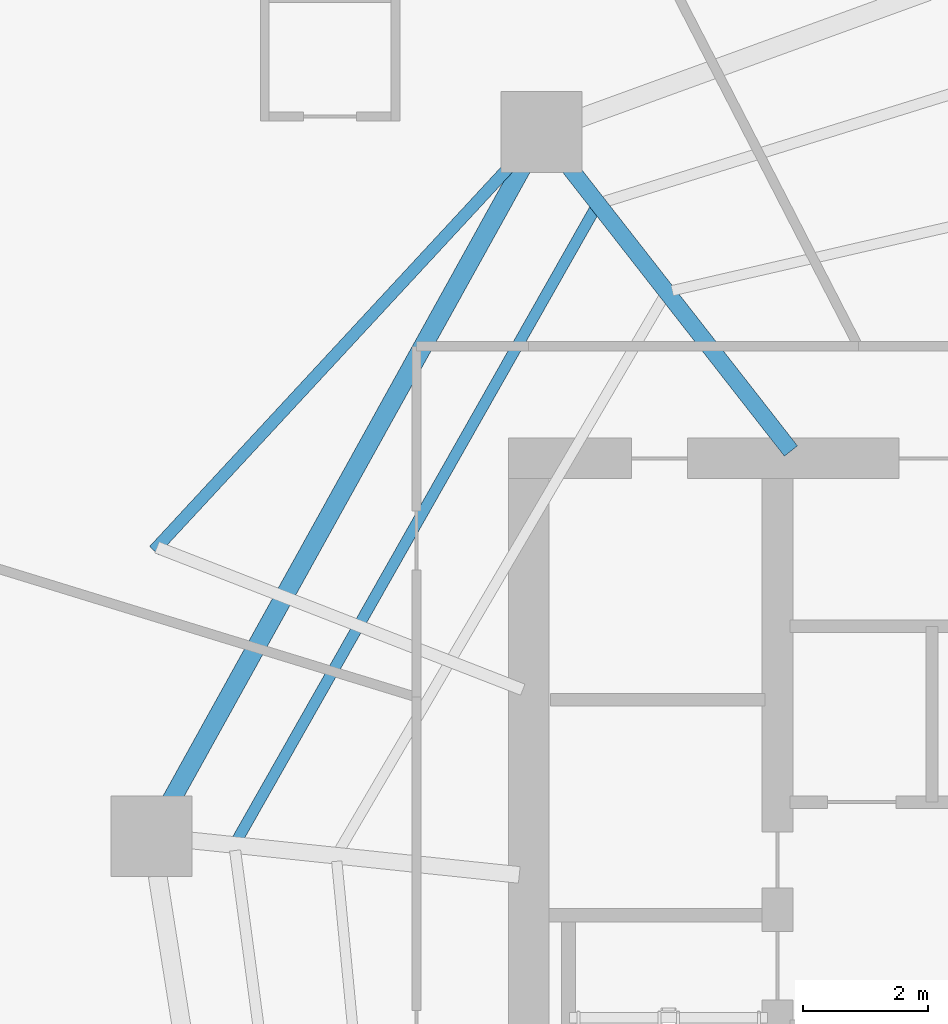
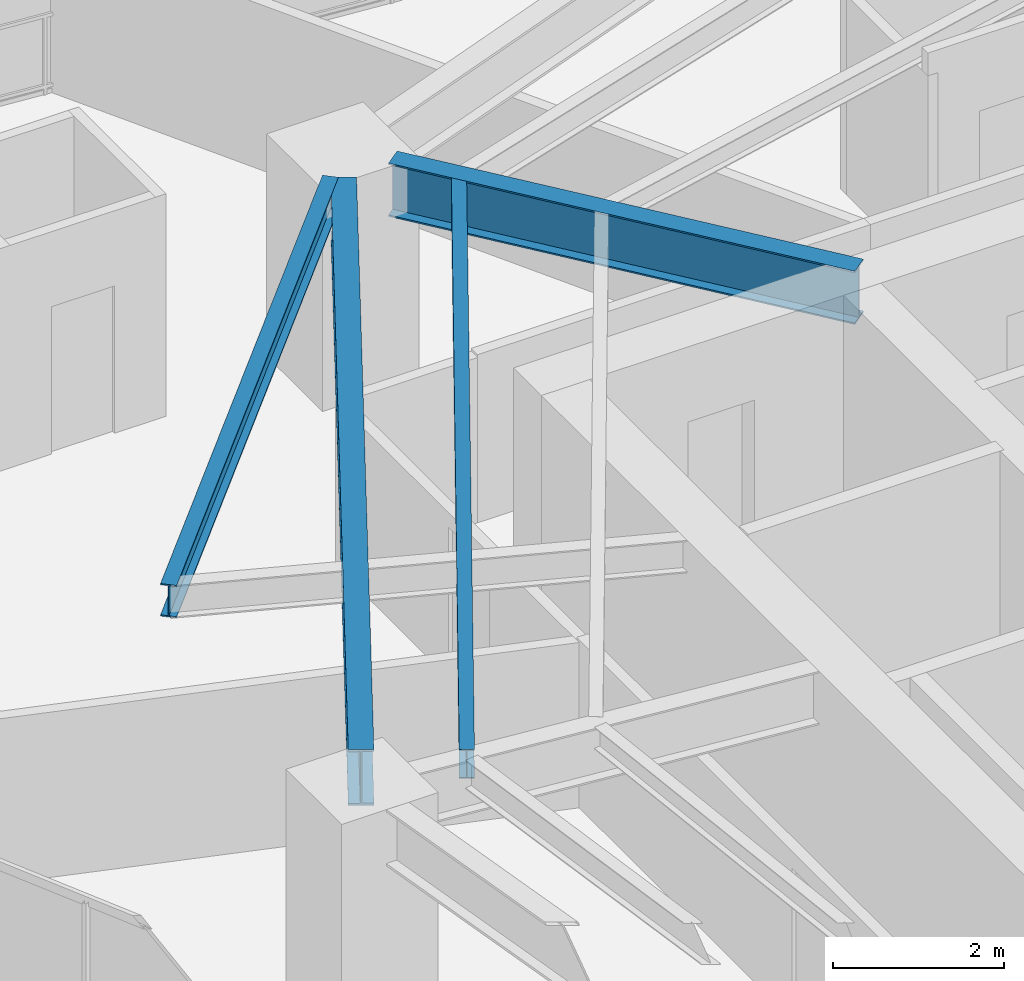
# One storey, part 17 of 30: 4 beams.
"""IFC4 building model written with IfcOpenShell, lengths in metres."""

from ifc_helpers import new_model, si_unit, direction, frame, origin, origin_2d, place, context, subcontext, project, spatial, i_section, extrude, material, material_profile, profile_set, type_object, element, save


model = new_model("IFC4")

# Units and contexts
model_context = context("Model", 3, precision=1e-05, world=origin(), true_north=direction((0.0, 1.0)))
body_context = subcontext(model_context, "Body", "Model", "MODEL_VIEW")
ifc_project = project(units=[si_unit("LENGTHUNIT", "METRE"), si_unit("AREAUNIT", "SQUARE_METRE"), si_unit("VOLUMEUNIT", "CUBIC_METRE"), si_unit("PLANEANGLEUNIT", "RADIAN"), si_unit("MASSUNIT", "GRAM", prefix="KILO")], contexts=[model_context])

# Site, building, storey
site_placement = place(None, origin())
site = spatial("IfcSite", under=ifc_project, at=site_placement, CompositionType="ELEMENT")
building_placement = place(site_placement, origin())
building = spatial("IfcBuilding", under=site, at=building_placement, Name="Qarnah Convention Tower", CompositionType="ELEMENT")
storey_placement = place(building_placement, frame((0.0, 0.0, 47.699951171875)))
storey = spatial("IfcBuildingStorey", under=building, at=storey_placement, Name="L11", CompositionType="ELEMENT", Elevation=47.699951171875)

# Beams
ifc_material = material(Name="Structural steel S355JR", Category="steel")
ifc_material_profile_1 = material_profile(ifc_material, i_section(OverallWidth=0.19189453125, OverallDepth=0.464111328125, WebThickness=0.010986328125, FlangeThickness=0.01806640625, at=origin_2d()), Name="W460X89")
ifc_profile_set_1 = profile_set([ifc_material_profile_1], Name="Structural steel S355JR")
beam_type_1 = type_object("IfcBeamType", Name="BM-CANT-W460A", PredefinedType="BEAM", material=ifc_profile_set_1)
beam_1_placement = place(storey_placement, frame((20.782958984375, 32.719970703125, 2.93798828125), z_axis=(0.679611332191, 0.733572380313, 0.0), x_axis=(-0.733572380313, 0.679611332191, 0.0)))
element("IfcBeam", 1, at=beam_1_placement, inside=storey, type_object=beam_type_1, Name="L11 spandrel BM-L11-CTIE-02", PredefinedType="SPANDREL", context=body_context, shape_type="SweptSolid", body=[
    extrude(i_section(OverallWidth=0.19189453125, OverallDepth=0.464111328125, WebThickness=0.010986328125, FlangeThickness=0.01806640625, at=origin_2d()), origin(), (0.0, 0.0, 1.0), 8.52392578125),
])
ifc_material_profile_2 = material_profile(ifc_material, i_section(OverallWidth=0.177978515625, OverallDepth=0.407958984375, WebThickness=0.008056640625, FlangeThickness=0.012939453125, at=origin_2d()), Name="W410X60")
ifc_profile_set_2 = profile_set([ifc_material_profile_2], Name="Structural steel S355JR")
beam_type_2 = type_object("IfcBeamType", Name="BM-JST-W410", PredefinedType="JOIST", material=ifc_profile_set_2)
beam_2_placement = place(storey_placement, frame((27.867919921875, 38.2109375, 2.966064453125), z_axis=(-0.493168421993, -0.869933852399, 0.0), x_axis=(0.869933852399, -0.493168421993, 0.0)))
element("IfcBeam", 2, at=beam_2_placement, inside=storey, type_object=beam_type_2, Name="L11 joist BM-L11-SJST-04", PredefinedType="JOIST", context=body_context, shape_type="SweptSolid", body=[
    extrude(i_section(OverallWidth=0.177978515625, OverallDepth=0.407958984375, WebThickness=0.008056640625, FlangeThickness=0.012939453125, at=origin_2d()), origin(), (0.0, 0.0, 1.0), 11.659423828125),
])
ifc_material_profile_3 = material_profile(ifc_material, i_section(OverallWidth=0.26806640625, OverallDepth=0.760009765625, WebThickness=0.014892578125, FlangeThickness=0.02197265625, at=origin_2d()), Name="W760X185")
ifc_profile_set_3 = profile_set([ifc_material_profile_3], Name="Structural steel S355JR")
beam_type_3 = type_object("IfcBeamType", Name="BM-RAD-W760", PredefinedType="BEAM", material=ifc_profile_set_3)
beam_3_placement = place(storey_placement, frame((31.013916015625, 34.318115234375, 2.7900390625), z_axis=(-0.61558272574, 0.78807227319, 0.0), x_axis=(-0.78807227319, -0.61558272574, 0.0)))
element("IfcBeam", 3, at=beam_3_placement, inside=storey, type_object=beam_type_3, Name="L11 beam BM-L11-RAD-04", PredefinedType="BEAM", context=body_context, shape_type="SweptSolid", body=[
    extrude(i_section(OverallWidth=0.26806640625, OverallDepth=0.760009765625, WebThickness=0.014892578125, FlangeThickness=0.02197265625, at=origin_2d()), origin(), (0.0, 0.0, 1.0), 5.87255859375),
])
ifc_material_profile_4 = material_profile(ifc_material, i_section(OverallWidth=0.300048828125, OverallDepth=0.800048828125, WebThickness=0.01806640625, FlangeThickness=0.032958984375, at=origin_2d()), Name="HEB800")
ifc_profile_set_4 = profile_set([ifc_material_profile_4], Name="Structural steel S355JR")
beam_type_4 = type_object("IfcBeamType", Name="BM-RING-HEB800", PredefinedType="BEAM", material=ifc_profile_set_4)
beam_4_placement = place(storey_placement, frame((26.700927734375, 38.882080078125, 2.77001953125), z_axis=(-0.484829813426, -0.874608513572, 0.0), x_axis=(0.874608513572, -0.484829813426, 0.0)))
element("IfcBeam", 4, at=beam_4_placement, inside=storey, type_object=beam_type_4, Name="L11 beam BM-L11-SPN-04", PredefinedType="BEAM", context=body_context, shape_type="SweptSolid", body=[
    extrude(i_section(OverallWidth=0.300048828125, OverallDepth=0.800048828125, WebThickness=0.01806640625, FlangeThickness=0.032958984375, at=origin_2d()), origin(), (0.0, 0.0, 1.0), 11.6533203125),
])

save(model, "model.ifc")
